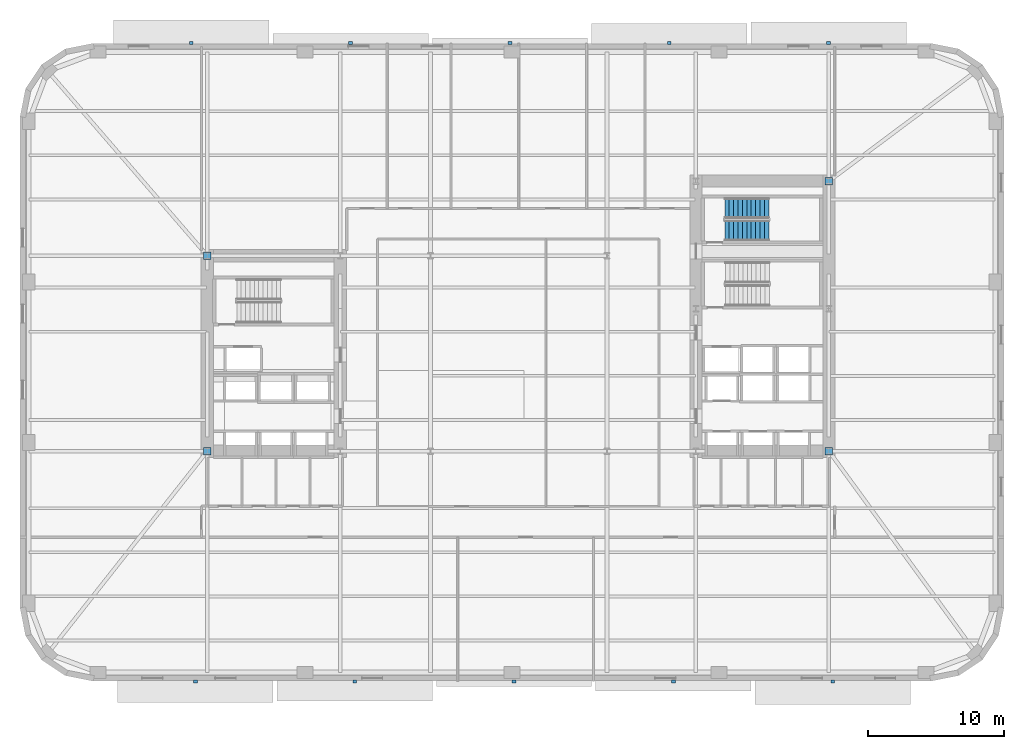
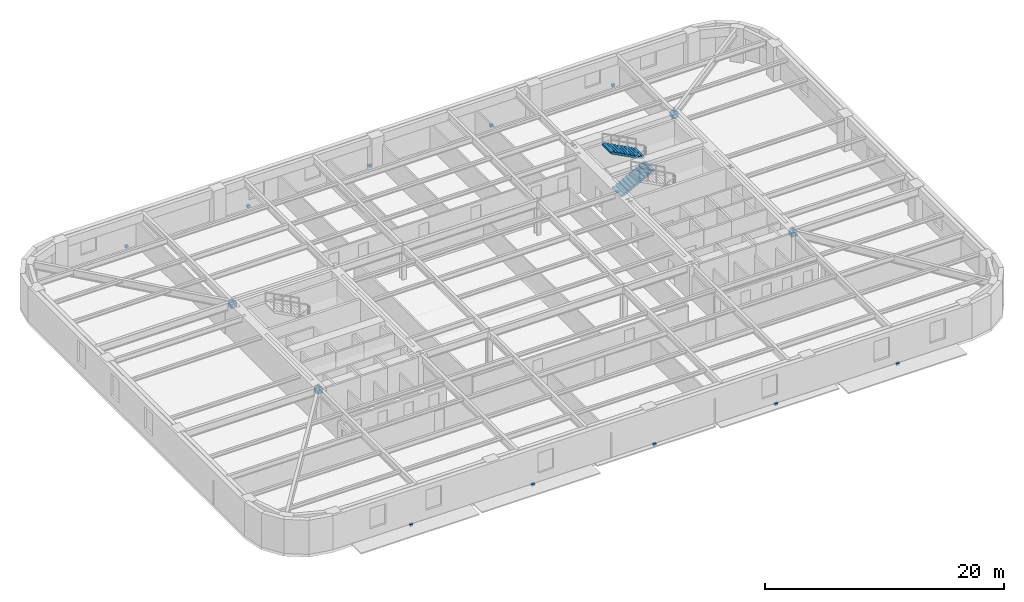
# One storey, part 8 of 15: 14 discrete accessories, 2 stair flights, 1 element without a shape of its own.
"""IFC4 building model written with IfcOpenShell, lengths in metres."""

from ifc_helpers import new_model, si_unit, direction, frame, origin, origin_2d, place, context, subcontext, project, spatial, polyline, rectangle, outline, extrude, material, type_object, element, aggregate, save


model = new_model("IFC4")

# Units and contexts
model_context = context("Model", 3, precision=1e-05, world=origin(), true_north=direction((0.0, 1.0)))
body_context = subcontext(model_context, "Body", "Model", "MODEL_VIEW")
ifc_project = project(units=[si_unit("LENGTHUNIT", "METRE"), si_unit("AREAUNIT", "SQUARE_METRE"), si_unit("VOLUMEUNIT", "CUBIC_METRE"), si_unit("PLANEANGLEUNIT", "RADIAN"), si_unit("MASSUNIT", "GRAM", prefix="KILO")], contexts=[model_context])

# Site, building, storey
site_placement = place(None, origin())
site = spatial("IfcSite", under=ifc_project, at=site_placement, CompositionType="ELEMENT")
building_placement = place(site_placement, origin())
building = spatial("IfcBuilding", under=site, at=building_placement, Name="Kolvaren Arena Tower", CompositionType="ELEMENT")
storey_placement = place(building_placement, frame((0.0, 0.0, 68.25)))
storey = spatial("IfcBuildingStorey", under=building, at=storey_placement, Name="L14", CompositionType="ELEMENT", Elevation=68.25)

# Stair, stair flights
ifc_material_1 = material(Name="Concrete 45 MPa", Category="concrete")
stair_type = type_object("IfcStairType", Name="STAIR-CORE-150", PredefinedType="HALF_TURN_STAIR", material=ifc_material_1)
stair_placement = place(storey_placement, origin())
stair = element("IfcStair", 1, at=stair_placement, inside=storey, type_object=stair_type, Name="L14 ST-E2", PredefinedType="HALF_TURN_STAIR")
stair_flight_type = type_object("IfcStairFlightType", Name="FLT-150", PredefinedType="STRAIGHT", material=ifc_material_1)
stair_flight_1_placement = place(storey_placement, frame((52.679931640625, 35.699951171875, 0.0), z_axis=(0.0, 0.0, 1.0), x_axis=(1.0, 0.0, 0.0)))
stair_flight_1 = element("IfcStairFlight", 2, at=stair_flight_1_placement, type_object=stair_flight_type, Name="ST-E2 flight 1", NumberOfRisers=11, NumberOfTreads=10, PredefinedType="STRAIGHT", RiserHeight=0.170454545, TreadLength=0.324, context=body_context, shape_type="SweptSolid", body=[
    extrude(outline(polyline([(0.0, 0.0), (0.0, 0.17041015625), (0.323974609375, 0.17041015625), (0.323974609375, 0.3408203125), (0.64794921875, 0.3408203125), (0.64794921875, 0.511474609375), (0.971923828125, 0.511474609375), (0.971923828125, 0.681884765625), (1.2958984375, 0.681884765625), (1.2958984375, 0.852294921875), (1.6201171875, 0.852294921875), (1.6201171875, 1.022705078125), (1.944091796875, 1.022705078125), (1.944091796875, 1.193115234375), (2.26806640625, 1.193115234375), (2.26806640625, 1.363525390625), (2.592041015625, 1.363525390625), (2.592041015625, 1.5341796875), (2.916015625, 1.5341796875), (2.916015625, 1.70458984375), (3.239990234375, 1.70458984375), (3.239990234375, 1.875), (3.239990234375, 1.53515625), (0.322021484375, 0.0), (0.0, 0.0)])), frame((0.0, 0.75, 0.0), z_axis=(0.0, -1.0, 0.0), x_axis=(1.0, 0.0, 0.0)), (0.0, 0.0, 1.0), 1.5),
])
stair_flight_2_placement = place(storey_placement, frame((55.919921875, 37.35009765625, 1.875), z_axis=(0.0, 0.0, 1.0), x_axis=(-1.0, 0.0, 0.0)))
stair_flight_2 = element("IfcStairFlight", 3, at=stair_flight_2_placement, type_object=stair_flight_type, Name="ST-E2 flight 2", NumberOfRisers=11, NumberOfTreads=10, PredefinedType="STRAIGHT", RiserHeight=0.170454545, TreadLength=0.324, context=body_context, shape_type="SweptSolid", body=[
    extrude(outline(polyline([(0.0, 0.0), (0.0, 0.17041015625), (0.323974609375, 0.17041015625), (0.323974609375, 0.3408203125), (0.64794921875, 0.3408203125), (0.64794921875, 0.511474609375), (0.971923828125, 0.511474609375), (0.971923828125, 0.681884765625), (1.2958984375, 0.681884765625), (1.2958984375, 0.852294921875), (1.6201171875, 0.852294921875), (1.6201171875, 1.022705078125), (1.944091796875, 1.022705078125), (1.944091796875, 1.193115234375), (2.26806640625, 1.193115234375), (2.26806640625, 1.363525390625), (2.592041015625, 1.363525390625), (2.592041015625, 1.5341796875), (2.916015625, 1.5341796875), (2.916015625, 1.70458984375), (3.239990234375, 1.70458984375), (3.239990234375, 1.875), (3.239990234375, 1.53515625), (0.322021484375, 0.0), (0.0, 0.0)])), frame((0.0, 0.75, 0.0), z_axis=(0.0, -1.0, 0.0), x_axis=(1.0, 0.0, 0.0)), (0.0, 0.0, 1.0), 1.5),
])
aggregate(stair, [stair_flight_1, stair_flight_2])

# Discrete accessories
ifc_material_2 = material(Name="Stainless steel facade support bracket", Category="steel")
discrete_accessory_type_1 = type_object("IfcDiscreteAccessoryType", Name="ACC-BRKT-1", PredefinedType="BRACKET", material=ifc_material_2)
for number, where, z_axis, x_axis, name in (
    (4, (13.3701171875, 49.52001953125, -0.18017578125), (0.0, 0.0, 1.0), (1.0, 0.0, 0.0), "Sunshade Support Bracket (L14)"),
    (5, (25.110107421875, 49.52001953125, -0.18017578125), (0.0, 0.0, 1.0), (1.0, 0.0, 0.0), "Sunshade Support Bracket (L14)"),
    (6, (36.85009765625, 49.52001953125, -0.18017578125), (0.0, 0.0, 1.0), (1.0, 0.0, 0.0), "Sunshade Support Bracket (L14)"),
    (7, (48.590087890625, 49.52001953125, -0.18017578125), (0.0, 0.0, 1.0), (1.0, 0.0, 0.0), "Sunshade Support Bracket (L14)"),
    (8, (60.330078125, 49.52001953125, -0.18017578125), (0.0, 0.0, 1.0), (1.0, 0.0, 0.0), "Sunshade Support Bracket (L14)"),
    (9, (60.6298828125, 2.47998046875, -0.18017578125), (0.0, 0.0, 1.0), (-1.0, 0.0, 0.0), "Sunshade Support Bracket (L14)"),
    (10, (48.889892578125, 2.47998046875, -0.18017578125), (0.0, 0.0, 1.0), (-1.0, 0.0, 0.0), "Sunshade Support Bracket (L14)"),
    (11, (37.14990234375, 2.47998046875, -0.18017578125), (0.0, 0.0, 1.0), (-1.0, 0.0, 0.0), "Sunshade Support Bracket (L14)"),
    (12, (25.409912109375, 2.47998046875, -0.18017578125), (0.0, 0.0, 1.0), (-1.0, 0.0, 0.0), "Sunshade Support Bracket (L14)"),
    (13, (13.669921875, 2.47998046875, -0.18017578125), (0.0, 0.0, 1.0), (-1.0, 0.0, 0.0), "Sunshade Support Bracket (L14)"),
):
    element("IfcDiscreteAccessory", number, at=place(storey_placement, frame(where, z_axis=z_axis, x_axis=x_axis)), inside=storey, type_object=discrete_accessory_type_1, Name=name, PredefinedType="BRACKET", context=body_context, shape_type="SweptSolid", body=[
        extrude(rectangle(XDim=0.280029296875, YDim=0.239990234375, at=origin_2d()), origin(), (0.0, 0.0, 1.0), 0.239990234375),
    ])
ifc_material_3 = material(Name="Steel CSA G40.21 350W bolted gusset connection", Category="steel")
discrete_accessory_type_2 = type_object("IfcDiscreteAccessoryType", Name="ACC-CONN-1", PredefinedType="BRACKET", material=ifc_material_3)
for number, where, z_axis, x_axis, name in (
    (14, (60.35009765625, 19.449951171875, 2.87353515625), (0.0, 0.0, 1.0), (1.0, 0.0, 0.0), "Core Wall Cast-In Embed Plate EP1 (L14)"),
    (15, (60.35009765625, 39.35009765625, 2.87353515625), (0.0, 0.0, 1.0), (1.0, 0.0, 0.0), "Core Wall Cast-In Embed Plate EP1 (L14)"),
    (16, (14.550048828125, 33.85009765625, 2.87353515625), (0.0, 0.0, 1.0), (1.0, 0.0, 0.0), "Core Wall Cast-In Embed Plate EP1 (L14)"),
    (17, (14.550048828125, 19.449951171875, 2.87353515625), (0.0, 0.0, 1.0), (1.0, 0.0, 0.0), "Core Wall Cast-In Embed Plate EP1 (L14)"),
):
    element("IfcDiscreteAccessory", number, at=place(storey_placement, frame(where, z_axis=z_axis, x_axis=x_axis)), inside=storey, type_object=discrete_accessory_type_2, Name=name, PredefinedType="BRACKET", context=body_context, shape_type="SweptSolid", body=[
        extrude(rectangle(XDim=0.56005859375, YDim=0.56005859375, at=origin_2d()), origin(), (0.0, 0.0, 1.0), 0.43994140625),
    ])

save(model, "model.ifc")
